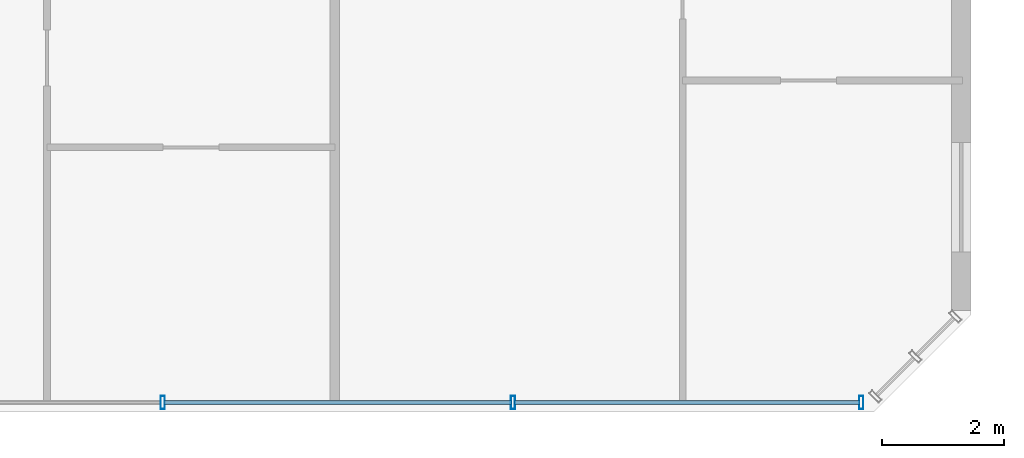
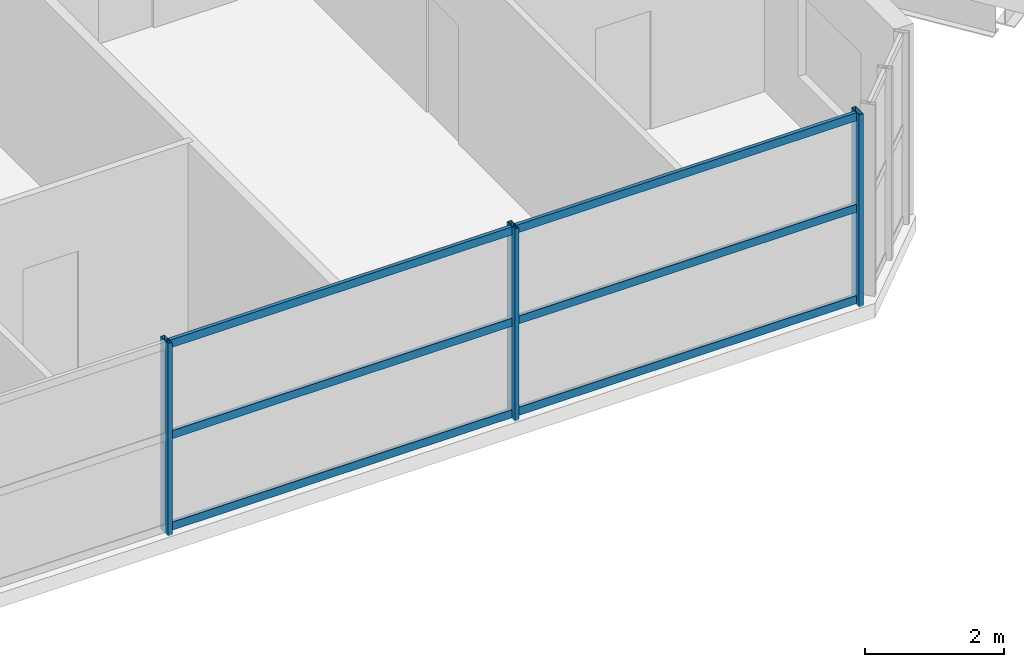
# One storey, part 7 of 25: 9 members, 1 element without a shape of its own.
"""IFC4 building model written with IfcOpenShell, lengths in metres."""

from ifc_helpers import new_model, si_unit, direction, frame, origin, origin_2d, place, context, subcontext, project, spatial, hollow_rectangle, extrude, source, transform, mapped, material, material_profile, profile_set, type_object, element, aggregate, save


model = new_model("IFC4")

# Units and contexts
model_context = context("Model", 3, precision=1e-05, world=origin(), true_north=direction((0.0, 1.0)))
body_context = subcontext(model_context, "Body", "Model", "MODEL_VIEW")
ifc_project = project(units=[si_unit("LENGTHUNIT", "METRE"), si_unit("AREAUNIT", "SQUARE_METRE"), si_unit("VOLUMEUNIT", "CUBIC_METRE"), si_unit("PLANEANGLEUNIT", "RADIAN"), si_unit("MASSUNIT", "GRAM", prefix="KILO")], contexts=[model_context])

# Site, building, storey
site_placement = place(None, origin())
site = spatial("IfcSite", under=ifc_project, at=site_placement, CompositionType="ELEMENT")
building_placement = place(site_placement, origin())
building = spatial("IfcBuilding", under=site, at=building_placement, Name="Tlacorven Tower", CompositionType="ELEMENT")
storey_placement = place(building_placement, frame((0.0, 0.0, 52.800048828125)))
storey = spatial("IfcBuildingStorey", under=building, at=storey_placement, Name="L13", CompositionType="ELEMENT", Elevation=52.800048828125)

# Curtain wall, members
ifc_material_1 = material(Name="Dark solar low-E double glazing in aluminium frame", Category="aluminium")
curtain_wall_type = type_object("IfcCurtainWallType", Name="CW-TWR-LOW", PredefinedType="USERDEFINED", material=ifc_material_1)
curtain_wall_placement = place(storey_placement, origin())
curtain_wall = element("IfcCurtainWall", 1, at=curtain_wall_placement, inside=storey, type_object=curtain_wall_type, Name="L13 CW-TWR-LOW Curtain Wall 70", ObjectType="UNITISED CURTAIN WALL", PredefinedType="USERDEFINED")
ifc_material_2 = material(Name="Aluminium 6063-T6 anodised", Category="aluminium")
ifc_material_profile_1 = material_profile(ifc_material_2, hollow_rectangle(XDim=0.06005859375, YDim=0.139892578125, WallThickness=0.00390625, at=origin_2d()), Name="ALU TRANSOM 60X140")
ifc_profile_set_1 = profile_set([ifc_material_profile_1], Name="Aluminium 6063-T6 anodised")
member_type_1 = type_object("IfcMemberType", Name="CWT-02", PredefinedType="USERDEFINED", material=ifc_profile_set_1)
shared_shape_1 = source(origin(), body_context, "Body", "SweptSolid", [
    extrude(hollow_rectangle(XDim=0.06005859375, YDim=0.139892578125, WallThickness=0.00390625, at=origin_2d()), origin(), (0.0, 0.0, 1.0), 5.6748046875),
])
member_1_placement = place(storey_placement, frame((50.57568359375, 1.9599609375, 0.070068359375), z_axis=(-1.0, 0.0, 0.0), x_axis=(0.0, -1.0, 0.0)))
member_1 = element("IfcMember", 2, at=member_1_placement, type_object=member_type_1, Name="CW-L13-070 Transom 1", ObjectType="TRANSOM", PredefinedType="USERDEFINED", context=body_context, shape_type="MappedRepresentation", body=[
    mapped(shared_shape_1, transform((0.0, 0.0, 0.0), scale=1.0)),
])
member_2_placement = place(storey_placement, frame((50.57568359375, 1.9599609375, 1.675048828125), z_axis=(-1.0, 0.0, 0.0), x_axis=(0.0, -1.0, 0.0)))
member_2 = element("IfcMember", 3, at=member_2_placement, type_object=member_type_1, Name="CW-L13-070 Transom 2", ObjectType="TRANSOM", PredefinedType="USERDEFINED", context=body_context, shape_type="MappedRepresentation", body=[
    mapped(shared_shape_1, transform((0.0, 0.0, 0.0), scale=1.0)),
])
member_3_placement = place(storey_placement, frame((50.57568359375, 1.9599609375, 3.280029296875), z_axis=(-1.0, 0.0, 0.0), x_axis=(0.0, -1.0, 0.0)))
member_3 = element("IfcMember", 4, at=member_3_placement, type_object=member_type_1, Name="CW-L13-070 Transom 3", ObjectType="TRANSOM", PredefinedType="USERDEFINED", context=body_context, shape_type="MappedRepresentation", body=[
    mapped(shared_shape_1, transform((0.0, 0.0, 0.0), scale=1.0)),
])
shared_shape_2 = source(origin(), body_context, "Body", "SweptSolid", [
    extrude(hollow_rectangle(XDim=0.06005859375, YDim=0.139892578125, WallThickness=0.00390625, at=origin_2d()), origin(), (0.0, 0.0, 1.0), 5.7099609375),
])
member_4_placement = place(storey_placement, frame((44.85498046875, 1.9599609375, 0.070068359375), z_axis=(-1.0, 0.0, 0.0), x_axis=(0.0, -1.0, 0.0)))
member_4 = element("IfcMember", 5, at=member_4_placement, type_object=member_type_1, Name="CW-L13-070 Transom 4", ObjectType="TRANSOM", PredefinedType="USERDEFINED", context=body_context, shape_type="MappedRepresentation", body=[
    mapped(shared_shape_2, transform((0.0, 0.0, 0.0), scale=1.0)),
])
member_5_placement = place(storey_placement, frame((44.85498046875, 1.9599609375, 1.675048828125), z_axis=(-1.0, 0.0, 0.0), x_axis=(0.0, -1.0, 0.0)))
member_5 = element("IfcMember", 6, at=member_5_placement, type_object=member_type_1, Name="CW-L13-070 Transom 5", ObjectType="TRANSOM", PredefinedType="USERDEFINED", context=body_context, shape_type="MappedRepresentation", body=[
    mapped(shared_shape_2, transform((0.0, 0.0, 0.0), scale=1.0)),
])
member_6_placement = place(storey_placement, frame((44.85498046875, 1.9599609375, 3.280029296875), z_axis=(-1.0, 0.0, 0.0), x_axis=(0.0, -1.0, 0.0)))
member_6 = element("IfcMember", 7, at=member_6_placement, type_object=member_type_1, Name="CW-L13-070 Transom 6", ObjectType="TRANSOM", PredefinedType="USERDEFINED", context=body_context, shape_type="MappedRepresentation", body=[
    mapped(shared_shape_2, transform((0.0, 0.0, 0.0), scale=1.0)),
])
ifc_material_profile_2 = material_profile(ifc_material_2, hollow_rectangle(XDim=0.070068359375, YDim=0.219970703125, WallThickness=0.0048828125, at=origin_2d()), Name="ALU MULLION 70X220")
ifc_profile_set_2 = profile_set([ifc_material_profile_2], Name="Aluminium 6063-T6 anodised")
member_type_2 = type_object("IfcMemberType", Name="CWM-01", PredefinedType="MULLION", material=ifc_profile_set_2)
shared_shape_3 = source(origin(), body_context, "Body", "SweptSolid", [
    extrude(hollow_rectangle(XDim=0.070068359375, YDim=0.219970703125, WallThickness=0.0048828125, at=origin_2d()), origin(), (0.0, 0.0, 1.0), 3.3798828125),
])
member_7_placement = place(storey_placement, frame((50.5986328125, 1.9599609375, -0.02001953125), z_axis=(0.0, 0.0, 1.0), x_axis=(-1.0, 0.0, 0.0)))
member_7 = element("IfcMember", 8, at=member_7_placement, type_object=member_type_2, Name="CW-L13-070 Mullion 1", PredefinedType="MULLION", context=body_context, shape_type="MappedRepresentation", body=[
    mapped(shared_shape_3, transform((0.0, 0.0, 0.0), scale=1.0)),
])
member_8_placement = place(storey_placement, frame((44.8779296875, 1.9599609375, -0.02001953125), z_axis=(0.0, 0.0, 1.0), x_axis=(-1.0, 0.0, 0.0)))
member_8 = element("IfcMember", 9, at=member_8_placement, type_object=member_type_2, Name="CW-L13-070 Mullion 2", PredefinedType="MULLION", context=body_context, shape_type="MappedRepresentation", body=[
    mapped(shared_shape_3, transform((0.0, 0.0, 0.0), scale=1.0)),
])
member_9_placement = place(storey_placement, frame((39.1220703125, 1.9599609375, -0.02001953125), z_axis=(0.0, 0.0, 1.0), x_axis=(-1.0, 0.0, 0.0)))
member_9 = element("IfcMember", 10, at=member_9_placement, type_object=member_type_2, Name="CW-L13-070 Mullion 3", PredefinedType="MULLION", context=body_context, shape_type="MappedRepresentation", body=[
    mapped(shared_shape_3, transform((0.0, 0.0, 0.0), scale=1.0)),
])
aggregate(curtain_wall, [member_7, member_8, member_9, member_1, member_2, member_3, member_4, member_5, member_6])

save(model, "model.ifc")
